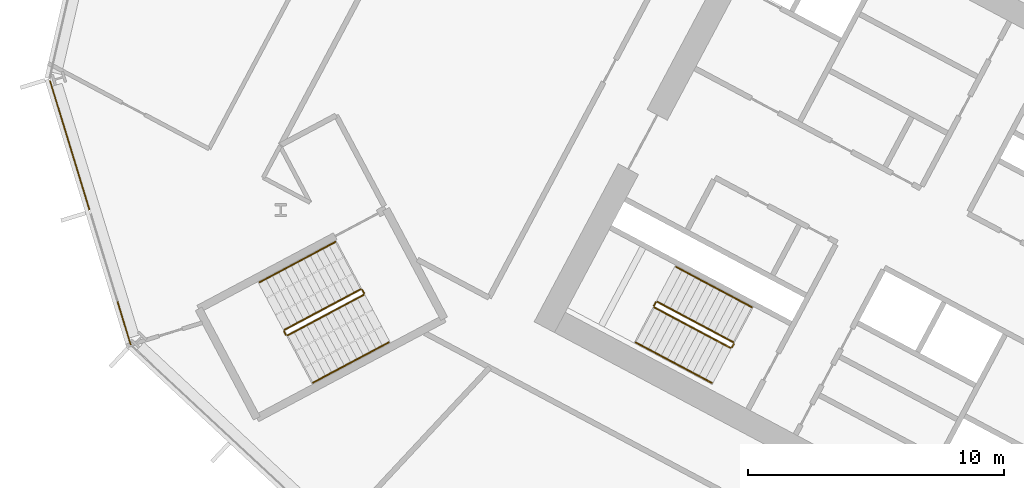
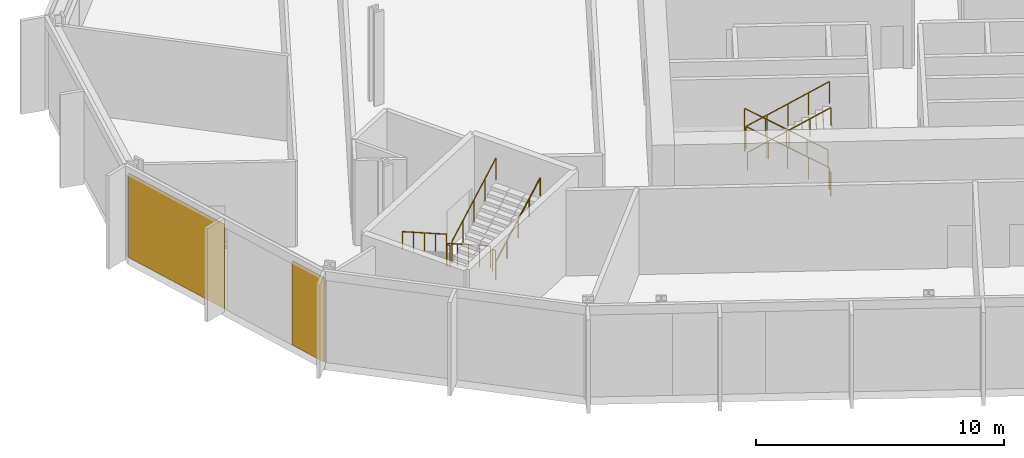
# One storey, part 24 of 32: 12 railings, 2 coverings, 1 element without a shape of its own.
"""IFC4 building model written with IfcOpenShell, lengths in metres."""

from ifc_helpers import new_model, si_unit, direction, frame, origin, origin_2d, place, context, subcontext, project, spatial, polyline, rectangle, outline, extrude, material, layer, layer_set, type_object, element, aggregate, save


model = new_model("IFC4")

# Units and contexts
model_context = context("Model", 3, precision=1e-05, world=origin(), true_north=direction((0.0, 1.0)))
body_context = subcontext(model_context, "Body", "Model", "MODEL_VIEW")
ifc_project = project(units=[si_unit("LENGTHUNIT", "METRE"), si_unit("AREAUNIT", "SQUARE_METRE"), si_unit("VOLUMEUNIT", "CUBIC_METRE"), si_unit("PLANEANGLEUNIT", "RADIAN"), si_unit("MASSUNIT", "GRAM", prefix="KILO")], contexts=[model_context])

# Site, building, storey
site_placement = place(None, origin())
site = spatial("IfcSite", under=ifc_project, at=site_placement, CompositionType="ELEMENT")
building_placement = place(site_placement, origin())
building = spatial("IfcBuilding", under=site, at=building_placement, Name="Cormorant Relay Tower", CompositionType="ELEMENT")
storey_placement = place(building_placement, frame((0.0, 0.0, 66.199951171875)))
storey = spatial("IfcBuildingStorey", under=building, at=storey_placement, Name="L12", CompositionType="ELEMENT", Elevation=66.199951171875)

# Curtain wall, coverings
ifc_material_1 = material(Name="Aluminium 6063-T6 anodised bronze", Category="aluminium")
ifc_layer_1 = layer(ifc_material_1, 0.199951171875)
ifc_layer_set_1 = layer_set([ifc_layer_1], Name="CW1 unitised bronze curtain wall with vertical fins")
curtain_wall_type = type_object("IfcCurtainWallType", Name="CW1 unitised bronze curtain wall with vertical fins", PredefinedType="NOTDEFINED", material=ifc_layer_set_1)
curtain_wall_placement = place(storey_placement, origin())
curtain_wall = element("IfcCurtainWall", 1, at=curtain_wall_placement, inside=storey, type_object=curtain_wall_type, Name="CW1 curtain wall 12", PredefinedType="NOTDEFINED")
ifc_material_2 = material(Name="Pale bronze anodised aluminium insulated panel", Category="aluminium")
ifc_layer_2 = layer(ifc_material_2, 0.0400390625)
ifc_layer_set_2 = layer_set([ifc_layer_2], Name="CW1 pale bronze insulated panel 40")
covering_type = type_object("IfcCoveringType", Name="CW1 pale bronze insulated panel 40", PredefinedType="CLADDING", material=ifc_layer_set_2)
covering_1_placement = place(storey_placement, frame((-59.9443359375, 17.78857421875, 0.0), z_axis=(0.0, 0.0, 1.0), x_axis=(0.292371704723, -0.956304755963, 0.0)))
covering_1 = element("IfcCovering", 2, at=covering_1_placement, type_object=covering_type, Name="CW1 panel S00", PredefinedType="CLADDING", context=body_context, shape_type="SweptSolid", body=[
    extrude(rectangle(XDim=5.28515625, YDim=0.0400390625, at=origin_2d()), origin(), (0.0, 0.0, 1.0), 4.14990234375),
])
covering_2_placement = place(storey_placement, frame((-57.818115234375, 10.833740234375, 0.0), z_axis=(0.0, 0.0, 1.0), x_axis=(0.292371704723, -0.956304755963, 0.0)))
covering_2 = element("IfcCovering", 3, at=covering_2_placement, type_object=covering_type, Name="CW1 panel S02", PredefinedType="CLADDING", context=body_context, shape_type="SweptSolid", body=[
    extrude(rectangle(XDim=1.76025390625, YDim=0.0400390625, at=origin_2d()), origin(), (0.0, 0.0, 1.0), 4.14990234375),
])
aggregate(curtain_wall, [covering_1, covering_2])

# Railings
ifc_material_3 = material(Name="Steel ASTM A572 Grade 50 (Fy 345 MPa)", Category="steel")
railing_type_1 = type_object("IfcRailingType", Name="Stair guard 1100", PredefinedType="GUARDRAIL", material=ifc_material_3)
railing_1_placement = place(storey_placement, frame((-33.9921875, 10.08935546875, 0.177001953125)))
element("IfcRailing", 4, at=railing_1_placement, inside=storey, type_object=railing_type_1, Name="L12 A2 stair guard 1", PredefinedType="GUARDRAIL", context=body_context, shape_type="SweptSolid", body=[
    extrude(outline(polyline([(0.022216796875, 0.00927734375), (0.00927734375, 0.022216796875), (-0.00927734375, 0.022216796875), (-0.022216796875, 0.00927734375), (-0.022216796875, -0.00927734375), (-0.00927734375, -0.022216796875), (0.00927734375, -0.022216796875), (0.022216796875, -0.00927734375), (0.022216796875, 0.00927734375)])), frame((0.0, 0.0, 1.076171875), z_axis=(-0.746440668329, 0.396869088057, 0.534154711306), x_axis=(-0.46945269911, -0.882957622595, 0.0)), (0.0, 0.0, 1.0), 3.974609375),
    extrude(outline(polyline([(0.019287109375, 0.008056640625), (0.008056640625, 0.019287109375), (-0.008056640625, 0.019287109375), (-0.019287109375, 0.008056640625), (-0.019287109375, -0.008056640625), (-0.008056640625, -0.019287109375), (0.008056640625, -0.019287109375), (0.019287109375, -0.008056640625), (0.019287109375, 0.008056640625)])), origin(), (0.0, 0.0, 1.0), 1.052001953125),
    extrude(outline(polyline([(0.019287109375, 0.008056640625), (0.008056640625, 0.019287109375), (-0.008056640625, 0.019287109375), (-0.019287109375, 0.008056640625), (-0.019287109375, -0.008056640625), (-0.008056640625, -0.019287109375), (0.008056640625, -0.019287109375), (0.019287109375, -0.008056640625), (0.019287109375, 0.008056640625)])), frame((-0.74169921875, 0.394287109375, 0.53076171875)), (0.0, 0.0, 1.0), 1.052001953125),
    extrude(outline(polyline([(0.019287109375, 0.008056640625), (0.008056640625, 0.019287109375), (-0.008056640625, 0.019287109375), (-0.019287109375, 0.008056640625), (-0.019287109375, -0.008056640625), (-0.008056640625, -0.019287109375), (0.008056640625, -0.019287109375), (0.019287109375, -0.008056640625), (0.019287109375, 0.008056640625)])), frame((-1.4833984375, 0.78857421875, 1.0615234375)), (0.0, 0.0, 1.0), 1.052001953125),
    extrude(outline(polyline([(0.019287109375, 0.008056640625), (0.008056640625, 0.019287109375), (-0.008056640625, 0.019287109375), (-0.019287109375, 0.008056640625), (-0.019287109375, -0.008056640625), (-0.008056640625, -0.019287109375), (0.008056640625, -0.019287109375), (0.019287109375, -0.008056640625), (0.019287109375, 0.008056640625)])), frame((-2.22509765625, 1.18310546875, 1.59228515625)), (0.0, 0.0, 1.0), 1.052001953125),
    extrude(outline(polyline([(0.019287109375, 0.008056640625), (0.008056640625, 0.019287109375), (-0.008056640625, 0.019287109375), (-0.019287109375, 0.008056640625), (-0.019287109375, -0.008056640625), (-0.008056640625, -0.019287109375), (0.008056640625, -0.019287109375), (0.019287109375, -0.008056640625), (0.019287109375, 0.008056640625)])), frame((-2.966796875, 1.577392578125, 2.123046875)), (0.0, 0.0, 1.0), 1.052001953125),
])
railing_2_placement = place(storey_placement, frame((-37.026611328125, 11.64599609375, 2.300048828125)))
element("IfcRailing", 5, at=railing_2_placement, inside=storey, type_object=railing_type_1, Name="L12 A2 stair guard 2", PredefinedType="GUARDRAIL", context=body_context, shape_type="SweptSolid", body=[
    extrude(outline(polyline([(0.022216796875, 0.00927734375), (0.00927734375, 0.022216796875), (-0.00927734375, 0.022216796875), (-0.022216796875, 0.00927734375), (-0.022216796875, -0.00927734375), (-0.00927734375, -0.022216796875), (0.00927734375, -0.022216796875), (0.022216796875, -0.00927734375), (0.022216796875, 0.00927734375)])), frame((0.0, 0.0, 1.076171875), z_axis=(-0.469234640946, -0.883073525669, 0.0), x_axis=(0.883073525669, -0.469234640946, 0.0)), (0.0, 0.0, 1.0), 0.14990234375),
    extrude(outline(polyline([(0.019287109375, 0.008056640625), (0.008056640625, 0.019287109375), (-0.008056640625, 0.019287109375), (-0.019287109375, 0.008056640625), (-0.019287109375, -0.008056640625), (-0.008056640625, -0.019287109375), (0.008056640625, -0.019287109375), (0.019287109375, -0.008056640625), (0.019287109375, 0.008056640625)])), origin(), (0.0, 0.0, 1.0), 1.052001953125),
    extrude(outline(polyline([(0.019287109375, 0.008056640625), (0.008056640625, 0.019287109375), (-0.008056640625, 0.019287109375), (-0.019287109375, 0.008056640625), (-0.019287109375, -0.008056640625), (-0.008056640625, -0.019287109375), (0.008056640625, -0.019287109375), (0.019287109375, -0.008056640625), (0.019287109375, 0.008056640625)])), frame((-0.0703125, -0.13232421875, 0.0)), (0.0, 0.0, 1.0), 1.052001953125),
])
railing_3_placement = place(storey_placement, frame((-37.076171875, 11.446044921875, 2.47705078125)))
element("IfcRailing", 6, at=railing_3_placement, inside=storey, type_object=railing_type_1, Name="L12 A2 stair guard 3", PredefinedType="GUARDRAIL", context=body_context, shape_type="SweptSolid", body=[
    extrude(outline(polyline([(0.022216796875, 0.00927734375), (0.00927734375, 0.022216796875), (-0.00927734375, 0.022216796875), (-0.022216796875, 0.00927734375), (-0.022216796875, -0.00927734375), (-0.00927734375, -0.022216796875), (0.00927734375, -0.022216796875), (0.022216796875, -0.00927734375), (0.022216796875, 0.00927734375)])), frame((0.0, 0.0, 1.076171875), z_axis=(0.746413465702, -0.396887285154, 0.534179203172), x_axis=(0.469482818608, 0.88294160794, 0.0)), (0.0, 0.0, 1.0), 3.974365234375),
    extrude(outline(polyline([(0.019287109375, 0.008056640625), (0.008056640625, 0.019287109375), (-0.008056640625, 0.019287109375), (-0.019287109375, 0.008056640625), (-0.019287109375, -0.008056640625), (-0.008056640625, -0.019287109375), (0.008056640625, -0.019287109375), (0.019287109375, -0.008056640625), (0.019287109375, 0.008056640625)])), origin(), (0.0, 0.0, 1.0), 1.052001953125),
    extrude(outline(polyline([(0.019287109375, 0.008056640625), (0.008056640625, 0.019287109375), (-0.008056640625, 0.019287109375), (-0.019287109375, 0.008056640625), (-0.019287109375, -0.008056640625), (-0.008056640625, -0.019287109375), (0.008056640625, -0.019287109375), (0.019287109375, -0.008056640625), (0.019287109375, 0.008056640625)])), frame((0.74169921875, -0.394287109375, 0.53076171875)), (0.0, 0.0, 1.0), 1.052001953125),
    extrude(outline(polyline([(0.019287109375, 0.008056640625), (0.008056640625, 0.019287109375), (-0.008056640625, 0.019287109375), (-0.019287109375, 0.008056640625), (-0.019287109375, -0.008056640625), (-0.008056640625, -0.019287109375), (0.008056640625, -0.019287109375), (0.019287109375, -0.008056640625), (0.019287109375, 0.008056640625)])), frame((1.4833984375, -0.78857421875, 1.0615234375)), (0.0, 0.0, 1.0), 1.052001953125),
    extrude(outline(polyline([(0.019287109375, 0.008056640625), (0.008056640625, 0.019287109375), (-0.008056640625, 0.019287109375), (-0.019287109375, 0.008056640625), (-0.019287109375, -0.008056640625), (-0.008056640625, -0.019287109375), (0.008056640625, -0.019287109375), (0.019287109375, -0.008056640625), (0.019287109375, 0.008056640625)])), frame((2.224853515625, -1.18310546875, 1.59228515625)), (0.0, 0.0, 1.0), 1.052001953125),
    extrude(outline(polyline([(0.019287109375, 0.008056640625), (0.008056640625, 0.019287109375), (-0.008056640625, 0.019287109375), (-0.019287109375, 0.008056640625), (-0.019287109375, -0.008056640625), (-0.008056640625, -0.019287109375), (0.008056640625, -0.019287109375), (0.019287109375, -0.008056640625), (0.019287109375, 0.008056640625)])), frame((2.966552734375, -1.577392578125, 2.123046875)), (0.0, 0.0, 1.0), 1.052001953125),
])
railing_4_placement = place(storey_placement, frame((-33.971435546875, 10.021728515625, 0.0)))
element("IfcRailing", 7, at=railing_4_placement, inside=storey, type_object=railing_type_1, Name="L12 A2 stair guard 4", PredefinedType="GUARDRAIL", context=body_context, shape_type="SweptSolid", body=[
    extrude(outline(polyline([(0.022216796875, 0.00927734375), (0.00927734375, 0.022216796875), (-0.00927734375, 0.022216796875), (-0.022216796875, 0.00927734375), (-0.022216796875, -0.00927734375), (-0.00927734375, -0.022216796875), (0.00927734375, -0.022216796875), (0.022216796875, -0.00927734375), (0.022216796875, 0.00927734375)])), frame((0.0, 0.0, 1.076171875), z_axis=(-0.470503732759, -0.882398003998, 0.0), x_axis=(0.882398003998, -0.470503732759, 0.0)), (0.0, 0.0, 1.0), 0.14990234375),
    extrude(outline(polyline([(0.019287109375, 0.008056640625), (0.008056640625, 0.019287109375), (-0.008056640625, 0.019287109375), (-0.019287109375, 0.008056640625), (-0.019287109375, -0.008056640625), (-0.008056640625, -0.019287109375), (0.008056640625, -0.019287109375), (0.019287109375, -0.008056640625), (0.019287109375, 0.008056640625)])), origin(), (0.0, 0.0, 1.0), 1.052001953125),
    extrude(outline(polyline([(0.019287109375, 0.008056640625), (0.008056640625, 0.019287109375), (-0.008056640625, 0.019287109375), (-0.019287109375, 0.008056640625), (-0.019287109375, -0.008056640625), (-0.008056640625, -0.019287109375), (0.008056640625, -0.019287109375), (0.019287109375, -0.008056640625), (0.019287109375, 0.008056640625)])), frame((-0.070556640625, -0.13232421875, 0.0)), (0.0, 0.0, 1.0), 1.052001953125),
])
railing_5_placement = place(storey_placement, frame((-48.5693359375, 12.155517578125, 0.177001953125)))
element("IfcRailing", 8, at=railing_5_placement, inside=storey, type_object=railing_type_1, Name="L12 RP1 stair guard 1", PredefinedType="GUARDRAIL", context=body_context, shape_type="SweptSolid", body=[
    extrude(outline(polyline([(0.022216796875, 0.00927734375), (0.00927734375, 0.022216796875), (-0.00927734375, 0.022216796875), (-0.022216796875, 0.00927734375), (-0.022216796875, -0.00927734375), (-0.00927734375, -0.022216796875), (0.00927734375, -0.022216796875), (0.022216796875, -0.00927734375), (0.022216796875, 0.00927734375)])), frame((0.0, 0.0, 1.076171875), z_axis=(-0.746422470992, -0.396920836698, 0.534141689248), x_axis=(0.469509342547, -0.882927503967, 0.0)), (0.0, 0.0, 1.0), 3.974609375),
    extrude(outline(polyline([(0.019287109375, 0.008056640625), (0.008056640625, 0.019287109375), (-0.008056640625, 0.019287109375), (-0.019287109375, 0.008056640625), (-0.019287109375, -0.008056640625), (-0.008056640625, -0.019287109375), (0.008056640625, -0.019287109375), (0.019287109375, -0.008056640625), (0.019287109375, 0.008056640625)])), origin(), (0.0, 0.0, 1.0), 1.052001953125),
    extrude(outline(polyline([(0.019287109375, 0.008056640625), (0.008056640625, 0.019287109375), (-0.008056640625, 0.019287109375), (-0.019287109375, 0.008056640625), (-0.019287109375, -0.008056640625), (-0.008056640625, -0.019287109375), (0.008056640625, -0.019287109375), (0.019287109375, -0.008056640625), (0.019287109375, 0.008056640625)])), frame((-0.74169921875, -0.39453125, 0.53076171875)), (0.0, 0.0, 1.0), 1.052001953125),
    extrude(outline(polyline([(0.019287109375, 0.008056640625), (0.008056640625, 0.019287109375), (-0.008056640625, 0.019287109375), (-0.019287109375, 0.008056640625), (-0.019287109375, -0.008056640625), (-0.008056640625, -0.019287109375), (0.008056640625, -0.019287109375), (0.019287109375, -0.008056640625), (0.019287109375, 0.008056640625)])), frame((-1.4833984375, -0.788818359375, 1.0615234375)), (0.0, 0.0, 1.0), 1.052001953125),
    extrude(outline(polyline([(0.019287109375, 0.008056640625), (0.008056640625, 0.019287109375), (-0.008056640625, 0.019287109375), (-0.019287109375, 0.008056640625), (-0.019287109375, -0.008056640625), (-0.008056640625, -0.019287109375), (0.008056640625, -0.019287109375), (0.019287109375, -0.008056640625), (0.019287109375, 0.008056640625)])), frame((-2.22509765625, -1.18310546875, 1.59228515625)), (0.0, 0.0, 1.0), 1.052001953125),
    extrude(outline(polyline([(0.019287109375, 0.008056640625), (0.008056640625, 0.019287109375), (-0.008056640625, 0.019287109375), (-0.019287109375, 0.008056640625), (-0.019287109375, -0.008056640625), (-0.008056640625, -0.019287109375), (0.008056640625, -0.019287109375), (0.019287109375, -0.008056640625), (0.019287109375, 0.008056640625)])), frame((-2.966796875, -1.57763671875, 2.123046875)), (0.0, 0.0, 1.0), 1.052001953125),
])
railing_6_placement = place(storey_placement, frame((-51.556640625, 10.51025390625, 2.300048828125)))
element("IfcRailing", 9, at=railing_6_placement, inside=storey, type_object=railing_type_1, Name="L12 RP1 stair guard 2", PredefinedType="GUARDRAIL", context=body_context, shape_type="SweptSolid", body=[
    extrude(outline(polyline([(0.022216796875, 0.00927734375), (0.00927734375, 0.022216796875), (-0.00927734375, 0.022216796875), (-0.022216796875, 0.00927734375), (-0.022216796875, -0.00927734375), (-0.00927734375, -0.022216796875), (0.00927734375, -0.022216796875), (0.022216796875, -0.00927734375), (0.022216796875, 0.00927734375)])), frame((0.0, 0.0, 1.076171875), z_axis=(0.469234640946, -0.883073525669, 0.0), x_axis=(0.883073525669, 0.469234640946, 0.0)), (0.0, 0.0, 1.0), 0.14990234375),
    extrude(outline(polyline([(0.019287109375, 0.008056640625), (0.008056640625, 0.019287109375), (-0.008056640625, 0.019287109375), (-0.019287109375, 0.008056640625), (-0.019287109375, -0.008056640625), (-0.008056640625, -0.019287109375), (0.008056640625, -0.019287109375), (0.019287109375, -0.008056640625), (0.019287109375, 0.008056640625)])), origin(), (0.0, 0.0, 1.0), 1.052001953125),
    extrude(outline(polyline([(0.019287109375, 0.008056640625), (0.008056640625, 0.019287109375), (-0.008056640625, 0.019287109375), (-0.019287109375, 0.008056640625), (-0.019287109375, -0.008056640625), (-0.008056640625, -0.019287109375), (0.008056640625, -0.019287109375), (0.019287109375, -0.008056640625), (0.019287109375, 0.008056640625)])), frame((0.0703125, -0.13232421875, 0.0)), (0.0, 0.0, 1.0), 1.052001953125),
])
railing_7_placement = place(storey_placement, frame((-51.418701171875, 10.357177734375, 2.47705078125)))
element("IfcRailing", 10, at=railing_7_placement, inside=storey, type_object=railing_type_1, Name="L12 RP1 stair guard 3", PredefinedType="GUARDRAIL", context=body_context, shape_type="SweptSolid", body=[
    extrude(outline(polyline([(0.022216796875, 0.00927734375), (0.00927734375, 0.022216796875), (-0.00927734375, 0.022216796875), (-0.022216796875, 0.00927734375), (-0.022216796875, -0.00927734375), (-0.00927734375, -0.022216796875), (0.00927734375, -0.022216796875), (0.022216796875, -0.00927734375), (0.022216796875, 0.00927734375)])), frame((0.0, 0.0, 1.076171875), z_axis=(0.746440668329, 0.396869088057, 0.534154711306), x_axis=(-0.46945269911, 0.882957622595, 0.0)), (0.0, 0.0, 1.0), 3.974609375),
    extrude(outline(polyline([(0.019287109375, 0.008056640625), (0.008056640625, 0.019287109375), (-0.008056640625, 0.019287109375), (-0.019287109375, 0.008056640625), (-0.019287109375, -0.008056640625), (-0.008056640625, -0.019287109375), (0.008056640625, -0.019287109375), (0.019287109375, -0.008056640625), (0.019287109375, 0.008056640625)])), origin(), (0.0, 0.0, 1.0), 1.052001953125),
    extrude(outline(polyline([(0.019287109375, 0.008056640625), (0.008056640625, 0.019287109375), (-0.008056640625, 0.019287109375), (-0.019287109375, 0.008056640625), (-0.019287109375, -0.008056640625), (-0.008056640625, -0.019287109375), (0.008056640625, -0.019287109375), (0.019287109375, -0.008056640625), (0.019287109375, 0.008056640625)])), frame((0.74169921875, 0.394287109375, 0.53076171875)), (0.0, 0.0, 1.0), 1.052001953125),
    extrude(outline(polyline([(0.019287109375, 0.008056640625), (0.008056640625, 0.019287109375), (-0.008056640625, 0.019287109375), (-0.019287109375, 0.008056640625), (-0.019287109375, -0.008056640625), (-0.008056640625, -0.019287109375), (0.008056640625, -0.019287109375), (0.019287109375, -0.008056640625), (0.019287109375, 0.008056640625)])), frame((1.4833984375, 0.78857421875, 1.0615234375)), (0.0, 0.0, 1.0), 1.052001953125),
    extrude(outline(polyline([(0.019287109375, 0.008056640625), (0.008056640625, 0.019287109375), (-0.008056640625, 0.019287109375), (-0.019287109375, 0.008056640625), (-0.019287109375, -0.008056640625), (-0.008056640625, -0.019287109375), (0.008056640625, -0.019287109375), (0.019287109375, -0.008056640625), (0.019287109375, 0.008056640625)])), frame((2.22509765625, 1.18310546875, 1.59228515625)), (0.0, 0.0, 1.0), 1.052001953125),
    extrude(outline(polyline([(0.019287109375, 0.008056640625), (0.008056640625, 0.019287109375), (-0.008056640625, 0.019287109375), (-0.019287109375, 0.008056640625), (-0.019287109375, -0.008056640625), (-0.008056640625, -0.019287109375), (0.008056640625, -0.019287109375), (0.019287109375, -0.008056640625), (0.019287109375, 0.008056640625)])), frame((2.966796875, 1.577392578125, 2.123046875)), (0.0, 0.0, 1.0), 1.052001953125),
])
railing_8_placement = place(storey_placement, frame((-48.501708984375, 12.134765625, 0.0)))
element("IfcRailing", 11, at=railing_8_placement, inside=storey, type_object=railing_type_1, Name="L12 RP1 stair guard 4", PredefinedType="GUARDRAIL", context=body_context, shape_type="SweptSolid", body=[
    extrude(outline(polyline([(0.022216796875, 0.00927734375), (0.00927734375, 0.022216796875), (-0.00927734375, 0.022216796875), (-0.022216796875, 0.00927734375), (-0.022216796875, -0.00927734375), (-0.00927734375, -0.022216796875), (0.00927734375, -0.022216796875), (0.022216796875, -0.00927734375), (0.022216796875, 0.00927734375)])), frame((0.0, 0.0, 1.076171875), z_axis=(0.46856034887, -0.8834314911, 0.0), x_axis=(0.8834314911, 0.46856034887, 0.0)), (0.0, 0.0, 1.0), 0.150146484375),
    extrude(outline(polyline([(0.019287109375, 0.008056640625), (0.008056640625, 0.019287109375), (-0.008056640625, 0.019287109375), (-0.019287109375, 0.008056640625), (-0.019287109375, -0.008056640625), (-0.008056640625, -0.019287109375), (0.008056640625, -0.019287109375), (0.019287109375, -0.008056640625), (0.019287109375, 0.008056640625)])), origin(), (0.0, 0.0, 1.0), 1.052001953125),
    extrude(outline(polyline([(0.019287109375, 0.008056640625), (0.008056640625, 0.019287109375), (-0.008056640625, 0.019287109375), (-0.019287109375, 0.008056640625), (-0.019287109375, -0.008056640625), (-0.008056640625, -0.019287109375), (0.008056640625, -0.019287109375), (0.019287109375, -0.008056640625), (0.019287109375, 0.008056640625)])), frame((0.0703125, -0.132568359375, 0.0)), (0.0, 0.0, 1.0), 1.052001953125),
])
ifc_material_4 = material(Name="Steel ASTM A572 Grade 50 (Fy 345 MPa)", Category="steel")
railing_type_2 = type_object("IfcRailingType", Name="Stair handrail 900", PredefinedType="HANDRAIL", material=ifc_material_4)
railing_9_placement = place(storey_placement, frame((-33.264404296875, 11.4580078125, 0.177001953125)))
element("IfcRailing", 12, at=railing_9_placement, inside=storey, type_object=railing_type_2, Name="L12 A2 stair handrail 1", PredefinedType="HANDRAIL", context=body_context, shape_type="SweptSolid", body=[
    extrude(outline(polyline([(0.022216796875, 0.00927734375), (0.00927734375, 0.022216796875), (-0.00927734375, 0.022216796875), (-0.022216796875, 0.00927734375), (-0.022216796875, -0.00927734375), (-0.00927734375, -0.022216796875), (0.00927734375, -0.022216796875), (0.022216796875, -0.00927734375), (0.022216796875, 0.00927734375)])), frame((0.0, 0.0, 0.8759765625), z_axis=(-0.746440668329, 0.396869088057, 0.534154711306), x_axis=(-0.46945269911, -0.882957622595, 0.0)), (0.0, 0.0, 1.0), 3.974609375),
    extrude(outline(polyline([(0.019287109375, 0.008056640625), (0.008056640625, 0.019287109375), (-0.008056640625, 0.019287109375), (-0.019287109375, 0.008056640625), (-0.019287109375, -0.008056640625), (-0.008056640625, -0.019287109375), (0.008056640625, -0.019287109375), (0.019287109375, -0.008056640625), (0.019287109375, 0.008056640625)])), origin(), (0.0, 0.0, 1.0), 0.851806640625),
    extrude(outline(polyline([(0.019287109375, 0.008056640625), (0.008056640625, 0.019287109375), (-0.008056640625, 0.019287109375), (-0.019287109375, 0.008056640625), (-0.019287109375, -0.008056640625), (-0.008056640625, -0.019287109375), (0.008056640625, -0.019287109375), (0.019287109375, -0.008056640625), (0.019287109375, 0.008056640625)])), frame((-0.74169921875, 0.394287109375, 0.53076171875)), (0.0, 0.0, 1.0), 0.851806640625),
    extrude(outline(polyline([(0.019287109375, 0.008056640625), (0.008056640625, 0.019287109375), (-0.008056640625, 0.019287109375), (-0.019287109375, 0.008056640625), (-0.019287109375, -0.008056640625), (-0.008056640625, -0.019287109375), (0.008056640625, -0.019287109375), (0.019287109375, -0.008056640625), (0.019287109375, 0.008056640625)])), frame((-1.4833984375, 0.78857421875, 1.0615234375)), (0.0, 0.0, 1.0), 0.851806640625),
    extrude(outline(polyline([(0.019287109375, 0.008056640625), (0.008056640625, 0.019287109375), (-0.008056640625, 0.019287109375), (-0.019287109375, 0.008056640625), (-0.019287109375, -0.008056640625), (-0.008056640625, -0.019287109375), (0.008056640625, -0.019287109375), (0.019287109375, -0.008056640625), (0.019287109375, 0.008056640625)])), frame((-2.22509765625, 1.18310546875, 1.59228515625)), (0.0, 0.0, 1.0), 0.851806640625),
    extrude(outline(polyline([(0.019287109375, 0.008056640625), (0.008056640625, 0.019287109375), (-0.008056640625, 0.019287109375), (-0.019287109375, 0.008056640625), (-0.019287109375, -0.008056640625), (-0.008056640625, -0.019287109375), (0.008056640625, -0.019287109375), (0.019287109375, -0.008056640625), (0.019287109375, 0.008056640625)])), frame((-2.966796875, 1.577392578125, 2.123046875)), (0.0, 0.0, 1.0), 0.851806640625),
])
railing_10_placement = place(storey_placement, frame((-37.803955078125, 10.077392578125, 2.47705078125)))
element("IfcRailing", 13, at=railing_10_placement, inside=storey, type_object=railing_type_2, Name="L12 A2 stair handrail 2", PredefinedType="HANDRAIL", context=body_context, shape_type="SweptSolid", body=[
    extrude(outline(polyline([(0.022216796875, 0.00927734375), (0.00927734375, 0.022216796875), (-0.00927734375, 0.022216796875), (-0.022216796875, 0.00927734375), (-0.022216796875, -0.00927734375), (-0.00927734375, -0.022216796875), (0.00927734375, -0.022216796875), (0.022216796875, -0.00927734375), (0.022216796875, 0.00927734375)])), frame((0.0, 0.0, 0.8759765625), z_axis=(0.746440668329, -0.396869088057, 0.534154711306), x_axis=(0.46945269911, 0.882957622595, 0.0)), (0.0, 0.0, 1.0), 3.974609375),
    extrude(outline(polyline([(0.019287109375, 0.008056640625), (0.008056640625, 0.019287109375), (-0.008056640625, 0.019287109375), (-0.019287109375, 0.008056640625), (-0.019287109375, -0.008056640625), (-0.008056640625, -0.019287109375), (0.008056640625, -0.019287109375), (0.019287109375, -0.008056640625), (0.019287109375, 0.008056640625)])), origin(), (0.0, 0.0, 1.0), 0.851806640625),
    extrude(outline(polyline([(0.019287109375, 0.008056640625), (0.008056640625, 0.019287109375), (-0.008056640625, 0.019287109375), (-0.019287109375, 0.008056640625), (-0.019287109375, -0.008056640625), (-0.008056640625, -0.019287109375), (0.008056640625, -0.019287109375), (0.019287109375, -0.008056640625), (0.019287109375, 0.008056640625)])), frame((0.74169921875, -0.394287109375, 0.53076171875)), (0.0, 0.0, 1.0), 0.851806640625),
    extrude(outline(polyline([(0.019287109375, 0.008056640625), (0.008056640625, 0.019287109375), (-0.008056640625, 0.019287109375), (-0.019287109375, 0.008056640625), (-0.019287109375, -0.008056640625), (-0.008056640625, -0.019287109375), (0.008056640625, -0.019287109375), (0.019287109375, -0.008056640625), (0.019287109375, 0.008056640625)])), frame((1.4833984375, -0.78857421875, 1.0615234375)), (0.0, 0.0, 1.0), 0.851806640625),
    extrude(outline(polyline([(0.019287109375, 0.008056640625), (0.008056640625, 0.019287109375), (-0.008056640625, 0.019287109375), (-0.019287109375, 0.008056640625), (-0.019287109375, -0.008056640625), (-0.008056640625, -0.019287109375), (0.008056640625, -0.019287109375), (0.019287109375, -0.008056640625), (0.019287109375, 0.008056640625)])), frame((2.22509765625, -1.18310546875, 1.59228515625)), (0.0, 0.0, 1.0), 0.851806640625),
    extrude(outline(polyline([(0.019287109375, 0.008056640625), (0.008056640625, 0.019287109375), (-0.008056640625, 0.019287109375), (-0.019287109375, 0.008056640625), (-0.019287109375, -0.008056640625), (-0.008056640625, -0.019287109375), (0.008056640625, -0.019287109375), (0.019287109375, -0.008056640625), (0.019287109375, 0.008056640625)])), frame((2.966796875, -1.577392578125, 2.123046875)), (0.0, 0.0, 1.0), 0.851806640625),
])
railing_11_placement = place(storey_placement, frame((-49.55517578125, 14.009521484375, 0.177001953125)))
element("IfcRailing", 14, at=railing_11_placement, inside=storey, type_object=railing_type_2, Name="L12 RP1 stair handrail 1", PredefinedType="HANDRAIL", context=body_context, shape_type="SweptSolid", body=[
    extrude(outline(polyline([(0.022216796875, 0.00927734375), (0.00927734375, 0.022216796875), (-0.00927734375, 0.022216796875), (-0.022216796875, 0.00927734375), (-0.022216796875, -0.00927734375), (-0.00927734375, -0.022216796875), (0.00927734375, -0.022216796875), (0.022216796875, -0.00927734375), (0.022216796875, 0.00927734375)])), frame((0.0, 0.0, 0.8759765625), z_axis=(-0.746440668329, -0.396869088057, 0.534154711306), x_axis=(0.46945269911, -0.882957622595, 0.0)), (0.0, 0.0, 1.0), 3.974609375),
    extrude(outline(polyline([(0.019287109375, 0.008056640625), (0.008056640625, 0.019287109375), (-0.008056640625, 0.019287109375), (-0.019287109375, 0.008056640625), (-0.019287109375, -0.008056640625), (-0.008056640625, -0.019287109375), (0.008056640625, -0.019287109375), (0.019287109375, -0.008056640625), (0.019287109375, 0.008056640625)])), origin(), (0.0, 0.0, 1.0), 0.851806640625),
    extrude(outline(polyline([(0.019287109375, 0.008056640625), (0.008056640625, 0.019287109375), (-0.008056640625, 0.019287109375), (-0.019287109375, 0.008056640625), (-0.019287109375, -0.008056640625), (-0.008056640625, -0.019287109375), (0.008056640625, -0.019287109375), (0.019287109375, -0.008056640625), (0.019287109375, 0.008056640625)])), frame((-0.74169921875, -0.394287109375, 0.53076171875)), (0.0, 0.0, 1.0), 0.851806640625),
    extrude(outline(polyline([(0.019287109375, 0.008056640625), (0.008056640625, 0.019287109375), (-0.008056640625, 0.019287109375), (-0.019287109375, 0.008056640625), (-0.019287109375, -0.008056640625), (-0.008056640625, -0.019287109375), (0.008056640625, -0.019287109375), (0.019287109375, -0.008056640625), (0.019287109375, 0.008056640625)])), frame((-1.4833984375, -0.78857421875, 1.0615234375)), (0.0, 0.0, 1.0), 0.851806640625),
    extrude(outline(polyline([(0.019287109375, 0.008056640625), (0.008056640625, 0.019287109375), (-0.008056640625, 0.019287109375), (-0.019287109375, 0.008056640625), (-0.019287109375, -0.008056640625), (-0.008056640625, -0.019287109375), (0.008056640625, -0.019287109375), (0.019287109375, -0.008056640625), (0.019287109375, 0.008056640625)])), frame((-2.22509765625, -1.18310546875, 1.59228515625)), (0.0, 0.0, 1.0), 0.851806640625),
    extrude(outline(polyline([(0.019287109375, 0.008056640625), (0.008056640625, 0.019287109375), (-0.008056640625, 0.019287109375), (-0.019287109375, 0.008056640625), (-0.019287109375, -0.008056640625), (-0.008056640625, -0.019287109375), (0.008056640625, -0.019287109375), (0.019287109375, -0.008056640625), (0.019287109375, 0.008056640625)])), frame((-2.966796875, -1.577392578125, 2.123046875)), (0.0, 0.0, 1.0), 0.851806640625),
])
railing_12_placement = place(storey_placement, frame((-50.432861328125, 8.503173828125, 2.47705078125)))
element("IfcRailing", 15, at=railing_12_placement, inside=storey, type_object=railing_type_2, Name="L12 RP1 stair handrail 2", PredefinedType="HANDRAIL", context=body_context, shape_type="SweptSolid", body=[
    extrude(outline(polyline([(0.022216796875, 0.00927734375), (0.00927734375, 0.022216796875), (-0.00927734375, 0.022216796875), (-0.022216796875, 0.00927734375), (-0.022216796875, -0.00927734375), (-0.00927734375, -0.022216796875), (0.00927734375, -0.022216796875), (0.022216796875, -0.00927734375), (0.022216796875, 0.00927734375)])), frame((0.0, 0.0, 0.8759765625), z_axis=(0.746440668329, 0.396869088057, 0.534154711306), x_axis=(-0.46945269911, 0.882957622595, 0.0)), (0.0, 0.0, 1.0), 3.974609375),
    extrude(outline(polyline([(0.019287109375, 0.008056640625), (0.008056640625, 0.019287109375), (-0.008056640625, 0.019287109375), (-0.019287109375, 0.008056640625), (-0.019287109375, -0.008056640625), (-0.008056640625, -0.019287109375), (0.008056640625, -0.019287109375), (0.019287109375, -0.008056640625), (0.019287109375, 0.008056640625)])), origin(), (0.0, 0.0, 1.0), 0.851806640625),
    extrude(outline(polyline([(0.019287109375, 0.008056640625), (0.008056640625, 0.019287109375), (-0.008056640625, 0.019287109375), (-0.019287109375, 0.008056640625), (-0.019287109375, -0.008056640625), (-0.008056640625, -0.019287109375), (0.008056640625, -0.019287109375), (0.019287109375, -0.008056640625), (0.019287109375, 0.008056640625)])), frame((0.74169921875, 0.394287109375, 0.53076171875)), (0.0, 0.0, 1.0), 0.851806640625),
    extrude(outline(polyline([(0.019287109375, 0.008056640625), (0.008056640625, 0.019287109375), (-0.008056640625, 0.019287109375), (-0.019287109375, 0.008056640625), (-0.019287109375, -0.008056640625), (-0.008056640625, -0.019287109375), (0.008056640625, -0.019287109375), (0.019287109375, -0.008056640625), (0.019287109375, 0.008056640625)])), frame((1.4833984375, 0.78857421875, 1.0615234375)), (0.0, 0.0, 1.0), 0.851806640625),
    extrude(outline(polyline([(0.019287109375, 0.008056640625), (0.008056640625, 0.019287109375), (-0.008056640625, 0.019287109375), (-0.019287109375, 0.008056640625), (-0.019287109375, -0.008056640625), (-0.008056640625, -0.019287109375), (0.008056640625, -0.019287109375), (0.019287109375, -0.008056640625), (0.019287109375, 0.008056640625)])), frame((2.22509765625, 1.18310546875, 1.59228515625)), (0.0, 0.0, 1.0), 0.851806640625),
    extrude(outline(polyline([(0.019287109375, 0.008056640625), (0.008056640625, 0.019287109375), (-0.008056640625, 0.019287109375), (-0.019287109375, 0.008056640625), (-0.019287109375, -0.008056640625), (-0.008056640625, -0.019287109375), (0.008056640625, -0.019287109375), (0.019287109375, -0.008056640625), (0.019287109375, 0.008056640625)])), frame((2.966796875, 1.577392578125, 2.123046875)), (0.0, 0.0, 1.0), 0.851806640625),
])

save(model, "model.ifc")
